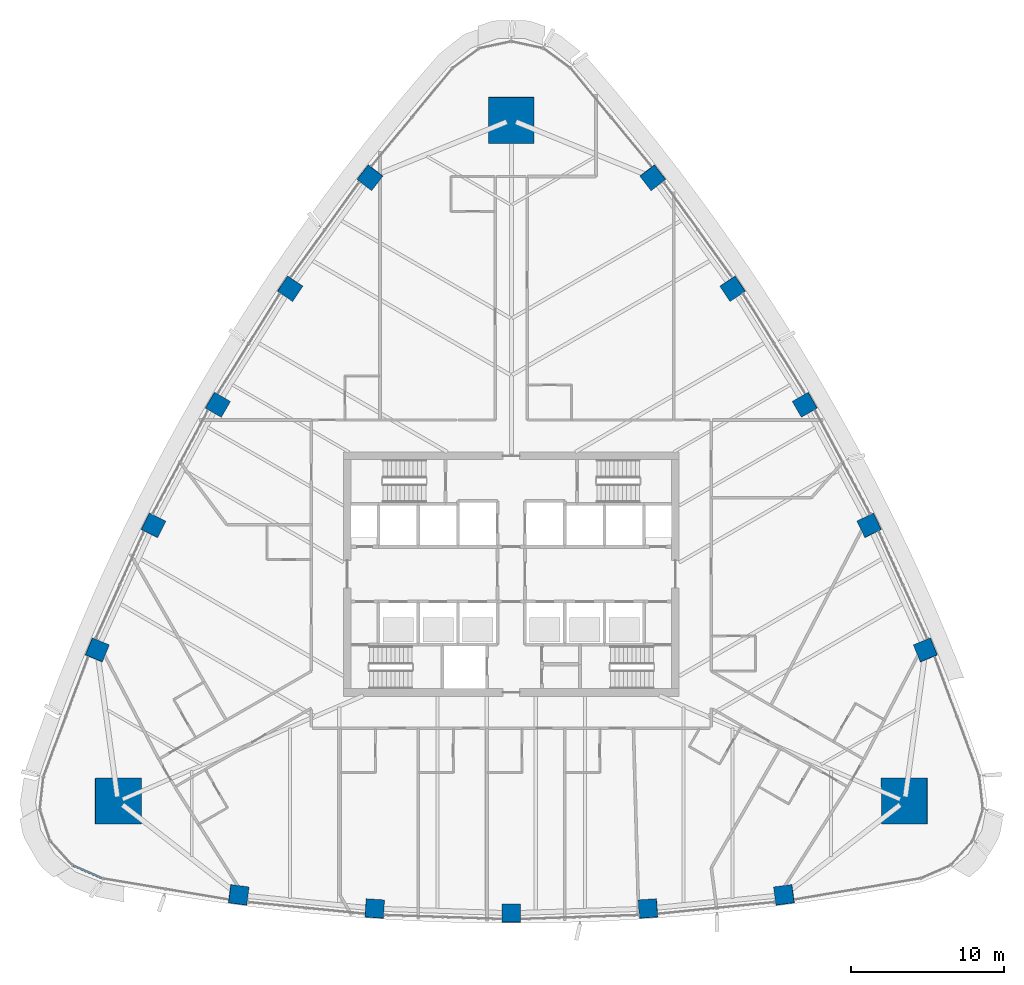
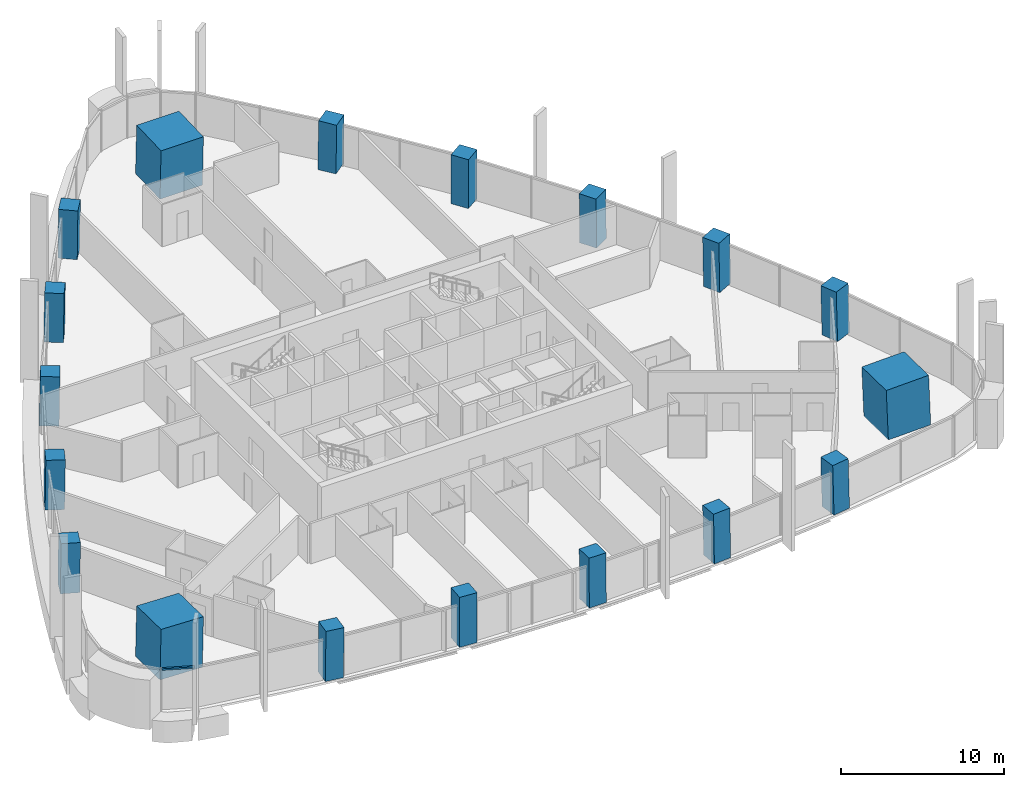
# One storey, part 1 of 22: 18 columns, 1 member, 1 element without a shape of its own.
"""IFC4 building model written with IfcOpenShell, lengths in metres."""

from ifc_helpers import new_model, si_unit, direction, frame, origin, origin_2d, place, context, subcontext, project, spatial, rectangle, extrude, material, layer, layer_set, material_profile, profile_set, type_object, element, aggregate, save


model = new_model("IFC4")

# Units and contexts
model_context = context("Model", 3, precision=1e-05, world=origin(), true_north=direction((0.0, 1.0)))
body_context = subcontext(model_context, "Body", "Model", "MODEL_VIEW")
ifc_project = project(units=[si_unit("LENGTHUNIT", "METRE"), si_unit("AREAUNIT", "SQUARE_METRE"), si_unit("VOLUMEUNIT", "CUBIC_METRE"), si_unit("PLANEANGLEUNIT", "RADIAN"), si_unit("MASSUNIT", "GRAM", prefix="KILO")], contexts=[model_context])

# Site, building, storey
site_placement = place(None, origin())
site = spatial("IfcSite", under=ifc_project, at=site_placement, CompositionType="ELEMENT")
building_placement = place(site_placement, origin())
building = spatial("IfcBuilding", under=site, at=building_placement, Name="Sierra Prisma Convention Tower", CompositionType="ELEMENT")
storey_placement = place(building_placement, frame((0.0, 0.0, 96.10009765625)))
storey = spatial("IfcBuildingStorey", under=building, at=storey_placement, Name="L20", CompositionType="ELEMENT", Elevation=96.10009765625)

# Columns
ifc_material_1 = material(Name="Concrete C60/75", Category="concrete")
ifc_material_profile_1 = material_profile(ifc_material_1, rectangle(XDim=3.0, YDim=3.0, at=origin_2d()), Name="Mega column RC 3000 C60/75")
ifc_profile_set_1 = profile_set([ifc_material_profile_1], Name="Concrete C60/75")
column_type_1 = type_object("IfcColumnType", Name="Mega column RC 3000 C60/75", PredefinedType="COLUMN", material=ifc_profile_set_1)
for number, where, z_axis, x_axis, name in (
    (1, (25.772216796875, -14.87939453125, 0.0), (-0.030532027415, 0.017541078386, 0.999379860649), (0.999533788975, 0.000535814489, 0.030527325479), "Mega column SE L20"),
    (2, (0.0, 29.759033203125, 0.0), (0.0, -0.035148179849, 0.999382111834), (1.0, 0.0, 0.0), "Mega column N L20"),
    (3, (-25.772216796875, -14.87939453125, 0.0), (0.030532027415, 0.017541078386, 0.999379860649), (0.999533788975, -0.000535814489, -0.030527325479), "Mega column SW L20"),
):
    element("IfcColumn", number, at=place(storey_placement, frame(where, z_axis=z_axis, x_axis=x_axis)), inside=storey, type_object=column_type_1, Name=name, PredefinedType="COLUMN", context=body_context, shape_type="SweptSolid", body=[
        extrude(rectangle(XDim=3.0, YDim=3.0, at=origin_2d()), origin(), (0.0, 0.0, 1.0), 3.7021484375),
    ])
ifc_material_2 = material(Name="Concrete C60/75", Category="concrete")
ifc_material_profile_2 = material_profile(ifc_material_2, rectangle(XDim=1.199951171875, YDim=1.199951171875, at=origin_2d()), Name="Perimeter column RC 1200 C60/75")
ifc_profile_set_2 = profile_set([ifc_material_profile_2], Name="Concrete C60/75")
column_type_2 = type_object("IfcColumnType", Name="Perimeter column RC 1200 C60/75", PredefinedType="COLUMN", material=ifc_profile_set_2)
column_1_placement = place(storey_placement, frame((-17.875244140625, -21.01904296875, 0.0), z_axis=(0.019196808933, 0.011346567479, 0.99975133805), x_axis=(-0.990978101664, 0.132873777201, 0.01752031263)))
element("IfcColumn", 4, at=column_1_placement, inside=storey, type_object=column_type_2, Name="Perimeter column S-1 L20", PredefinedType="COLUMN", context=body_context, shape_type="SweptSolid", body=[
    extrude(rectangle(XDim=1.199951171875, YDim=1.199951171875, at=origin_2d()), origin(), (0.0, 0.0, 1.0), 3.700927734375),
])
column_2_placement = place(storey_placement, frame((-8.95751953125, -21.911865234375, 0.0), z_axis=(0.009632635025, 0.012073782257, 0.999880710947), x_axis=(-0.997741389803, 0.066592340641, 0.008807907923)))
element("IfcColumn", 5, at=column_2_placement, inside=storey, type_object=column_type_2, Name="Perimeter column S-2 L20", PredefinedType="COLUMN", context=body_context, shape_type="SweptSolid", body=[
    extrude(rectangle(XDim=1.199951171875, YDim=1.199951171875, at=origin_2d()), origin(), (0.0, 0.0, 1.0), 3.700439453125),
])
column_3_placement = place(storey_placement, frame((0.0, -22.2099609375, 0.0), z_axis=(0.0, 0.012338222751, 0.999923881233), x_axis=(1.0, 0.0, 0.0)))
element("IfcColumn", 6, at=column_3_placement, inside=storey, type_object=column_type_2, Name="Perimeter column S-3 L20", PredefinedType="COLUMN", context=body_context, shape_type="SweptSolid", body=[
    extrude(rectangle(XDim=1.199951171875, YDim=1.199951171875, at=origin_2d()), origin(), (0.0, 0.0, 1.0), 3.7001953125),
])
column_4_placement = place(storey_placement, frame((8.95751953125, -21.911865234375, 0.0), z_axis=(-0.009632635025, 0.012073782257, 0.999880710947), x_axis=(0.997741389803, 0.066592340641, 0.008807907923)))
element("IfcColumn", 7, at=column_4_placement, inside=storey, type_object=column_type_2, Name="Perimeter column S-4 L20", PredefinedType="COLUMN", context=body_context, shape_type="SweptSolid", body=[
    extrude(rectangle(XDim=1.199951171875, YDim=1.199951171875, at=origin_2d()), origin(), (0.0, 0.0, 1.0), 3.700439453125),
])
for number, where, z_axis, x_axis, name in (
    (8, (17.875244140625, -21.01904296875, 0.0), (-0.019196808933, 0.011346567479, 0.99975133805), (0.990978101664, 0.132873777201, 0.01752031263), "Perimeter column S-5 L20"),
    (9, (27.140625, -4.970703125, 0.0), (-0.01946068323, 0.010884788925, 0.999751370681), (-0.38061581819, 0.92456812578, -0.017475117593), "Perimeter column NE-1 L20"),
):
    element("IfcColumn", number, at=place(storey_placement, frame(where, z_axis=z_axis, x_axis=x_axis)), inside=storey, type_object=column_type_2, Name=name, PredefinedType="COLUMN", context=body_context, shape_type="SweptSolid", body=[
        extrude(rectangle(XDim=1.199951171875, YDim=1.199951171875, at=origin_2d()), origin(), (0.0, 0.0, 1.0), 3.700927734375),
    ])
column_5_placement = place(storey_placement, frame((23.455078125, 3.198486328125, 0.0), z_axis=(-0.015306644787, 0.002309192102, 0.99988017995), x_axis=(-0.441267785784, 0.897332054755, -0.008827499058)))
element("IfcColumn", 10, at=column_5_placement, inside=storey, type_object=column_type_2, Name="Perimeter column NE-2 L20", PredefinedType="COLUMN", context=body_context, shape_type="SweptSolid", body=[
    extrude(rectangle(XDim=1.199951171875, YDim=1.199951171875, at=origin_2d()), origin(), (0.0, 0.0, 1.0), 3.700439453125),
])
column_6_placement = place(storey_placement, frame((19.234375, 11.10498046875, 0.0), z_axis=(-0.010688725148, -0.006202099777, 0.999923639641), x_axis=(-0.499971436973, 0.8660418936, 2.7223042e-05)))
element("IfcColumn", 11, at=column_6_placement, inside=storey, type_object=column_type_2, Name="Perimeter column NE-3 L20", PredefinedType="COLUMN", context=body_context, shape_type="SweptSolid", body=[
    extrude(rectangle(XDim=1.199951171875, YDim=1.199951171875, at=origin_2d()), origin(), (0.0, 0.0, 1.0), 3.7001953125),
])
column_7_placement = place(storey_placement, frame((14.49755859375, 18.71337890625, 0.0), z_axis=(-0.005674016471, -0.014382971985, 0.999880460682), x_axis=(-0.55645923647, 0.830828377567, 0.008793473571)))
element("IfcColumn", 12, at=column_7_placement, inside=storey, type_object=column_type_2, Name="Perimeter column NE-4 L20", PredefinedType="COLUMN", context=body_context, shape_type="SweptSolid", body=[
    extrude(rectangle(XDim=1.199951171875, YDim=1.199951171875, at=origin_2d()), origin(), (0.0, 0.0, 1.0), 3.700439453125),
])
for number, where, z_axis, x_axis, name in (
    (13, (9.265380859375, 25.989990234375, 0.0), (-0.00019790496, -0.022363260521, 0.999749891429), (-0.61047282483, 0.791841815333, 0.017591749055), "Perimeter column NE-5 L20"),
    (14, (-9.265380859375, 25.989990234375, 0.0), (0.00019790496, -0.022363260521, 0.999749891429), (0.61047282483, 0.791841815333, 0.017591749055), "Perimeter column NW-1 L20"),
):
    element("IfcColumn", number, at=place(storey_placement, frame(where, z_axis=z_axis, x_axis=x_axis)), inside=storey, type_object=column_type_2, Name=name, PredefinedType="COLUMN", context=body_context, shape_type="SweptSolid", body=[
        extrude(rectangle(XDim=1.199951171875, YDim=1.199951171875, at=origin_2d()), origin(), (0.0, 0.0, 1.0), 3.700927734375),
    ])
column_8_placement = place(storey_placement, frame((-14.49755859375, 18.71337890625, 0.0), z_axis=(0.005674016471, -0.014382971985, 0.999880460682), x_axis=(0.55645923647, 0.830828377567, 0.008793473571)))
element("IfcColumn", 15, at=column_8_placement, inside=storey, type_object=column_type_2, Name="Perimeter column NW-2 L20", PredefinedType="COLUMN", context=body_context, shape_type="SweptSolid", body=[
    extrude(rectangle(XDim=1.199951171875, YDim=1.199951171875, at=origin_2d()), origin(), (0.0, 0.0, 1.0), 3.700439453125),
])
column_9_placement = place(storey_placement, frame((-19.234375, 11.10498046875, 0.0), z_axis=(0.010688725148, -0.006202099777, 0.999923639641), x_axis=(0.499971436973, 0.8660418936, 2.7223042e-05)))
element("IfcColumn", 16, at=column_9_placement, inside=storey, type_object=column_type_2, Name="Perimeter column NW-3 L20", PredefinedType="COLUMN", context=body_context, shape_type="SweptSolid", body=[
    extrude(rectangle(XDim=1.199951171875, YDim=1.199951171875, at=origin_2d()), origin(), (0.0, 0.0, 1.0), 3.7001953125),
])
column_10_placement = place(storey_placement, frame((-23.455078125, 3.198486328125, 0.0), z_axis=(0.015306644787, 0.002309192102, 0.99988017995), x_axis=(0.441267785784, 0.897332054755, -0.008827499058)))
element("IfcColumn", 17, at=column_10_placement, inside=storey, type_object=column_type_2, Name="Perimeter column NW-4 L20", PredefinedType="COLUMN", context=body_context, shape_type="SweptSolid", body=[
    extrude(rectangle(XDim=1.199951171875, YDim=1.199951171875, at=origin_2d()), origin(), (0.0, 0.0, 1.0), 3.700439453125),
])
column_11_placement = place(storey_placement, frame((-27.140625, -4.970703125, 0.0), z_axis=(0.01946068323, 0.010884788925, 0.999751370681), x_axis=(0.38061581819, 0.92456812578, -0.017475117593)))
element("IfcColumn", 18, at=column_11_placement, inside=storey, type_object=column_type_2, Name="Perimeter column NW-5 L20", PredefinedType="COLUMN", context=body_context, shape_type="SweptSolid", body=[
    extrude(rectangle(XDim=1.199951171875, YDim=1.199951171875, at=origin_2d()), origin(), (0.0, 0.0, 1.0), 3.700927734375),
])

# Curtain wall, member
ifc_material_3 = material(Name="Aluminium and glass curtain wall", Category="aluminium")
ifc_layer = layer(ifc_material_3, 0.179931640625)
ifc_layer_set = layer_set([ifc_layer], Name="CW-1 Plain shaft curtain wall")
curtain_wall_type = type_object("IfcCurtainWallType", Name="CW-1 Plain shaft curtain wall", PredefinedType="NOTDEFINED", material=ifc_layer_set)
curtain_wall_placement = place(storey_placement, origin())
curtain_wall = element("IfcCurtainWall", 19, at=curtain_wall_placement, inside=storey, type_object=curtain_wall_type, Name="CW-1 SW4 L20", PredefinedType="NOTDEFINED")
ifc_material_4 = material(Name="Aluminium 6063-T6 bronze anodised", Category="aluminium")
ifc_material_profile_3 = material_profile(ifc_material_4, rectangle(XDim=0.139892578125, YDim=0.1201171875, at=origin_2d()), Name="ALU TRANSOM 120x140")
ifc_profile_set_3 = profile_set([ifc_material_profile_3], Name="Aluminium 6063-T6 bronze anodised")
member_type = type_object("IfcMemberType", Name="CW transom bronze", PredefinedType="USERDEFINED", material=ifc_profile_set_3)
member_placement = place(storey_placement, frame((-28.71435546875, -19.0888671875, 3.039794921875), z_axis=(0.916538575244, -0.399946296507, 0.0), x_axis=(0.399946296507, 0.916538575244, 0.0)))
member = element("IfcMember", 20, at=member_placement, type_object=member_type, Name="CW-1 transom SW4.1", ObjectType="TRANSOM", PredefinedType="USERDEFINED", context=body_context, shape_type="SweptSolid", body=[
    extrude(rectangle(XDim=0.139892578125, YDim=0.1201171875, at=origin_2d()), origin(), (0.0, 0.0, 1.0), 2.026123046875),
])
aggregate(curtain_wall, [member])

save(model, "model.ifc")
